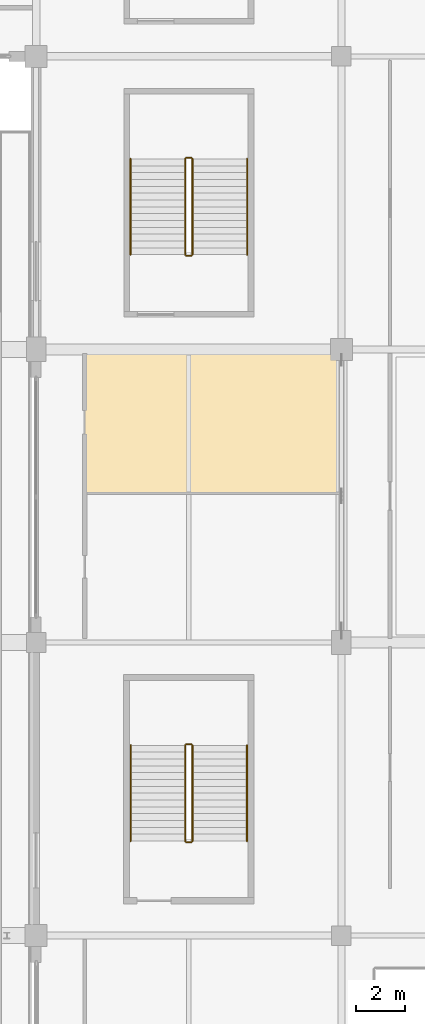
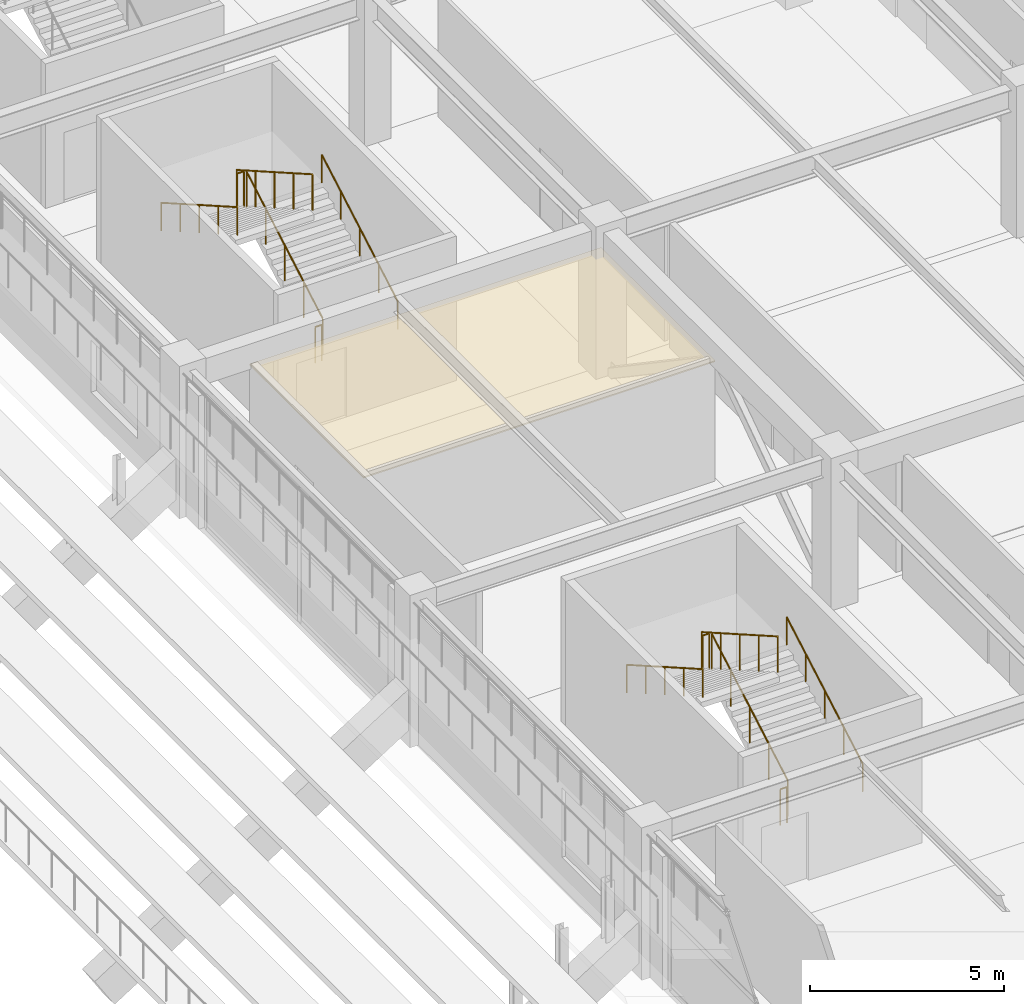
# One storey, part 121 of 134: 12 railings, 1 covering.
"""IFC4 building model written with IfcOpenShell, lengths in metres."""

from ifc_helpers import new_model, si_unit, direction, frame, origin, origin_2d, place, context, subcontext, project, spatial, polyline, circle, outline, extrude, material, layer, layer_set, type_object, element, save


model = new_model("IFC4")

# Units and contexts
model_context = context("Model", 3, precision=1e-05, world=origin(), true_north=direction((0.0, 1.0)))
body_context = subcontext(model_context, "Body", "Model", "MODEL_VIEW")
ifc_project = project(units=[si_unit("LENGTHUNIT", "METRE"), si_unit("AREAUNIT", "SQUARE_METRE"), si_unit("VOLUMEUNIT", "CUBIC_METRE"), si_unit("PLANEANGLEUNIT", "RADIAN"), si_unit("MASSUNIT", "GRAM", prefix="KILO")], contexts=[model_context])

# Site, building, storey
site_placement = place(None, origin())
site = spatial("IfcSite", under=ifc_project, at=site_placement, CompositionType="ELEMENT")
building_placement = place(site_placement, origin())
building = spatial("IfcBuilding", under=site, at=building_placement, Name="Kazenohara Klinker Stadium", CompositionType="ELEMENT")
storey_placement = place(building_placement, frame((0.0, 0.0, 5.39990234375)))
storey = spatial("IfcBuildingStorey", under=building, at=storey_placement, Name="L01", CompositionType="ELEMENT", Elevation=5.39990234375)

# Covering
ifc_material_1 = material(Name="Slatted Hokkaido cedar acoustic baffle ceiling", Category="wood")
ifc_layer_1 = layer(ifc_material_1, 0.0400390625)
ifc_layer_set_1 = layer_set([ifc_layer_1], Name="Slatted Hokkaido cedar acoustic baffle ceiling")
covering_type = type_object("IfcCoveringType", Name="COV-CEIL-02", PredefinedType="CEILING", material=ifc_layer_set_1)
covering_placement = place(storey_placement, frame((0.0, 0.0, 3.739990234375)))
element("IfcCovering", 1, at=covering_placement, inside=storey, type_object=covering_type, Name="Suspended acoustic ceiling CL02 Community Martial Arts Fitness Studio L01-1409B", PredefinedType="CEILING", context=body_context, shape_type="SweptSolid", body=[
    extrude(outline(polyline([(176.9599609375, 114.076904296875), (187.43994140625, 114.076904296875), (187.43994140625, 119.9599609375), (176.9599609375, 119.9599609375), (176.9599609375, 114.076904296875)])), origin(), (0.0, 0.0, 1.0), 0.0400390625),
])

# Railings
ifc_material_2 = material(Name="Brushed stainless steel 304 handrail", Category="steel")
ifc_layer_2 = layer(ifc_material_2, 0.050048828125)
ifc_layer_set_2 = layer_set([ifc_layer_2], Name="Brushed stainless steel 304 handrail")
railing_type_1 = type_object("IfcRailingType", Name="RL-HND-900", PredefinedType="HANDRAIL", material=ifc_layer_set_2)
railing_1_placement = place(storey_placement, frame((183.6298828125, 99.8701171875, 0.16015625)))
element("IfcRailing", 2, at=railing_1_placement, inside=storey, type_object=railing_type_1, Name="L01 ST23 stair handrail 1", PredefinedType="HANDRAIL", context=body_context, shape_type="SweptSolid", body=[
    extrude(circle(Radius=0.02392578125, at=origin_2d()), frame((0.0, 0.0, 0.8759765625), z_axis=(0.0, 0.868239814368, 0.496144761885), x_axis=(-1.0, 0.0, 0.0)), (0.0, 0.0, 1.0), 4.514892578125),
    extrude(circle(Radius=0.02099609375, at=origin_2d()), origin(), (0.0, 0.0, 1.0), 0.851806640625),
    extrude(circle(Radius=0.02099609375, at=origin_2d()), frame((0.0, 0.97998046875, 0.56005859375)), (0.0, 0.0, 1.0), 0.851806640625),
    extrude(circle(Radius=0.02099609375, at=origin_2d()), frame((0.0, 1.9599609375, 1.1201171875)), (0.0, 0.0, 1.0), 0.851806640625),
    extrude(circle(Radius=0.02099609375, at=origin_2d()), frame((0.0, 2.93994140625, 1.679931640625)), (0.0, 0.0, 1.0), 0.851806640625),
    extrude(circle(Radius=0.02099609375, at=origin_2d()), frame((0.0, 3.919921875, 2.239990234375)), (0.0, 0.0, 1.0), 0.851806640625),
])
railing_2_placement = place(storey_placement, frame((178.8701171875, 103.7900390625, 2.56005859375)))
element("IfcRailing", 3, at=railing_2_placement, inside=storey, type_object=railing_type_1, Name="L01 ST23 stair handrail 2", PredefinedType="HANDRAIL", context=body_context, shape_type="SweptSolid", body=[
    extrude(circle(Radius=0.02392578125, at=origin_2d()), frame((0.0, 0.0, 0.8759765625), z_axis=(0.0, -0.868239814368, 0.496144761885), x_axis=(1.0, 0.0, 0.0)), (0.0, 0.0, 1.0), 4.514892578125),
    extrude(circle(Radius=0.02099609375, at=origin_2d()), origin(), (0.0, 0.0, 1.0), 0.851806640625),
    extrude(circle(Radius=0.02099609375, at=origin_2d()), frame((0.0, -0.97998046875, 0.56005859375)), (0.0, 0.0, 1.0), 0.851806640625),
    extrude(circle(Radius=0.02099609375, at=origin_2d()), frame((0.0, -1.9599609375, 1.1201171875)), (0.0, 0.0, 1.0), 0.851806640625),
    extrude(circle(Radius=0.02099609375, at=origin_2d()), frame((0.0, -2.93994140625, 1.679931640625)), (0.0, 0.0, 1.0), 0.851806640625),
    extrude(circle(Radius=0.02099609375, at=origin_2d()), frame((0.0, -3.919921875, 2.239990234375)), (0.0, 0.0, 1.0), 0.851806640625),
])
railing_3_placement = place(storey_placement, frame((183.639892578125, 123.8798828125, 0.16015625)))
element("IfcRailing", 4, at=railing_3_placement, inside=storey, type_object=railing_type_1, Name="L01 ST24 stair handrail 1", PredefinedType="HANDRAIL", context=body_context, shape_type="SweptSolid", body=[
    extrude(circle(Radius=0.02392578125, at=origin_2d()), frame((0.0, 0.0, 0.8759765625), z_axis=(0.0, 0.86825312469, 0.496121468458), x_axis=(-1.0, 0.0, 0.0)), (0.0, 0.0, 1.0), 4.514892578125),
    extrude(circle(Radius=0.02099609375, at=origin_2d()), origin(), (0.0, 0.0, 1.0), 0.851806640625),
    extrude(circle(Radius=0.02099609375, at=origin_2d()), frame((0.0, 0.97998046875, 0.56005859375)), (0.0, 0.0, 1.0), 0.851806640625),
    extrude(circle(Radius=0.02099609375, at=origin_2d()), frame((0.0, 1.9599609375, 1.1201171875)), (0.0, 0.0, 1.0), 0.851806640625),
    extrude(circle(Radius=0.02099609375, at=origin_2d()), frame((0.0, 2.940185546875, 1.679931640625)), (0.0, 0.0, 1.0), 0.851806640625),
    extrude(circle(Radius=0.02099609375, at=origin_2d()), frame((0.0, 3.920166015625, 2.239990234375)), (0.0, 0.0, 1.0), 0.851806640625),
])
railing_4_placement = place(storey_placement, frame((178.860107421875, 127.800048828125, 2.56005859375)))
element("IfcRailing", 5, at=railing_4_placement, inside=storey, type_object=railing_type_1, Name="L01 ST24 stair handrail 2", PredefinedType="HANDRAIL", context=body_context, shape_type="SweptSolid", body=[
    extrude(circle(Radius=0.02392578125, at=origin_2d()), frame((0.0, 0.0, 0.8759765625), z_axis=(0.0, -0.86825312469, 0.496121468458), x_axis=(1.0, 0.0, 0.0)), (0.0, 0.0, 1.0), 4.514892578125),
    extrude(circle(Radius=0.02099609375, at=origin_2d()), origin(), (0.0, 0.0, 1.0), 0.851806640625),
    extrude(circle(Radius=0.02099609375, at=origin_2d()), frame((0.0, -0.97998046875, 0.56005859375)), (0.0, 0.0, 1.0), 0.851806640625),
    extrude(circle(Radius=0.02099609375, at=origin_2d()), frame((0.0, -1.9599609375, 1.1201171875)), (0.0, 0.0, 1.0), 0.851806640625),
    extrude(circle(Radius=0.02099609375, at=origin_2d()), frame((0.0, -2.940185546875, 1.679931640625)), (0.0, 0.0, 1.0), 0.851806640625),
    extrude(circle(Radius=0.02099609375, at=origin_2d()), frame((0.0, -3.920166015625, 2.239990234375)), (0.0, 0.0, 1.0), 0.851806640625),
])
ifc_material_3 = material(Name="Painted steel stairwell guardrail", Category="steel")
ifc_layer_3 = layer(ifc_material_3, 0.06005859375)
ifc_layer_set_3 = layer_set([ifc_layer_3], Name="Painted steel stairwell guardrail")
railing_type_2 = type_object("IfcRailingType", Name="RL-STG-1120", PredefinedType="GUARDRAIL", material=ifc_layer_set_3)
railing_5_placement = place(storey_placement, frame((181.39990234375, 99.8701171875, 0.16015625)))
element("IfcRailing", 6, at=railing_5_placement, inside=storey, type_object=railing_type_2, Name="L01 ST23 stair guard 1", PredefinedType="GUARDRAIL", context=body_context, shape_type="SweptSolid", body=[
    extrude(circle(Radius=0.02392578125, at=origin_2d()), frame((0.0, 0.0, 1.1259765625), z_axis=(0.0, 0.868239814368, 0.496144761885), x_axis=(-1.0, 0.0, 0.0)), (0.0, 0.0, 1.0), 4.514892578125),
    extrude(circle(Radius=0.02099609375, at=origin_2d()), origin(), (0.0, 0.0, 1.0), 1.101806640625),
    extrude(circle(Radius=0.02099609375, at=origin_2d()), frame((0.0, 0.97998046875, 0.56005859375)), (0.0, 0.0, 1.0), 1.101806640625),
    extrude(circle(Radius=0.02099609375, at=origin_2d()), frame((0.0, 1.9599609375, 1.1201171875)), (0.0, 0.0, 1.0), 1.101806640625),
    extrude(circle(Radius=0.02099609375, at=origin_2d()), frame((0.0, 2.93994140625, 1.679931640625)), (0.0, 0.0, 1.0), 1.101806640625),
    extrude(circle(Radius=0.02099609375, at=origin_2d()), frame((0.0, 3.919921875, 2.239990234375)), (0.0, 0.0, 1.0), 1.101806640625),
])
railing_6_placement = place(storey_placement, frame((181.35009765625, 103.840087890625, 2.400146484375)))
element("IfcRailing", 7, at=railing_6_placement, inside=storey, type_object=railing_type_2, Name="L01 ST23 stair guard 2", PredefinedType="GUARDRAIL", context=body_context, shape_type="SweptSolid", body=[
    extrude(circle(Radius=0.02392578125, at=origin_2d()), frame((0.0, 0.0, 1.1259765625), z_axis=(-1.0, 0.0, 0.0), x_axis=(0.0, -1.0, 0.0)), (0.0, 0.0, 1.0), 0.2001953125),
    extrude(circle(Radius=0.02099609375, at=origin_2d()), origin(), (0.0, 0.0, 1.0), 1.101806640625),
    extrude(circle(Radius=0.02099609375, at=origin_2d()), frame((-0.2001953125, 0.0, 0.0)), (0.0, 0.0, 1.0), 1.101806640625),
])
railing_7_placement = place(storey_placement, frame((181.10009765625, 103.7900390625, 2.56005859375)))
element("IfcRailing", 8, at=railing_7_placement, inside=storey, type_object=railing_type_2, Name="L01 ST23 stair guard 3", PredefinedType="GUARDRAIL", context=body_context, shape_type="SweptSolid", body=[
    extrude(circle(Radius=0.02392578125, at=origin_2d()), frame((0.0, 0.0, 1.1259765625), z_axis=(0.0, -0.868239814368, 0.496144761885), x_axis=(1.0, 0.0, 0.0)), (0.0, 0.0, 1.0), 4.514892578125),
    extrude(circle(Radius=0.02099609375, at=origin_2d()), origin(), (0.0, 0.0, 1.0), 1.101806640625),
    extrude(circle(Radius=0.02099609375, at=origin_2d()), frame((0.0, -0.97998046875, 0.56005859375)), (0.0, 0.0, 1.0), 1.101806640625),
    extrude(circle(Radius=0.02099609375, at=origin_2d()), frame((0.0, -1.9599609375, 1.1201171875)), (0.0, 0.0, 1.0), 1.101806640625),
    extrude(circle(Radius=0.02099609375, at=origin_2d()), frame((0.0, -2.93994140625, 1.679931640625)), (0.0, 0.0, 1.0), 1.101806640625),
    extrude(circle(Radius=0.02099609375, at=origin_2d()), frame((0.0, -3.919921875, 2.239990234375)), (0.0, 0.0, 1.0), 1.101806640625),
])
railing_8_placement = place(storey_placement, frame((181.35009765625, 99.820068359375, 0.0)))
element("IfcRailing", 9, at=railing_8_placement, inside=storey, type_object=railing_type_2, Name="L01 ST23 stair guard 4", PredefinedType="GUARDRAIL", context=body_context, shape_type="SweptSolid", body=[
    extrude(circle(Radius=0.02392578125, at=origin_2d()), frame((0.0, 0.0, 1.1259765625), z_axis=(-1.0, 0.0, 0.0), x_axis=(0.0, -1.0, 0.0)), (0.0, 0.0, 1.0), 0.2001953125),
    extrude(circle(Radius=0.02099609375, at=origin_2d()), origin(), (0.0, 0.0, 1.0), 1.101806640625),
    extrude(circle(Radius=0.02099609375, at=origin_2d()), frame((-0.2001953125, 0.0, 0.0)), (0.0, 0.0, 1.0), 1.101806640625),
])
railing_9_placement = place(storey_placement, frame((181.39990234375, 123.8798828125, 0.16015625)))
element("IfcRailing", 10, at=railing_9_placement, inside=storey, type_object=railing_type_2, Name="L01 ST24 stair guard 1", PredefinedType="GUARDRAIL", context=body_context, shape_type="SweptSolid", body=[
    extrude(circle(Radius=0.02392578125, at=origin_2d()), frame((0.0, 0.0, 1.1259765625), z_axis=(0.0, 0.86825312469, 0.496121468458), x_axis=(-1.0, 0.0, 0.0)), (0.0, 0.0, 1.0), 4.514892578125),
    extrude(circle(Radius=0.02099609375, at=origin_2d()), origin(), (0.0, 0.0, 1.0), 1.101806640625),
    extrude(circle(Radius=0.02099609375, at=origin_2d()), frame((0.0, 0.97998046875, 0.56005859375)), (0.0, 0.0, 1.0), 1.101806640625),
    extrude(circle(Radius=0.02099609375, at=origin_2d()), frame((0.0, 1.9599609375, 1.1201171875)), (0.0, 0.0, 1.0), 1.101806640625),
    extrude(circle(Radius=0.02099609375, at=origin_2d()), frame((0.0, 2.940185546875, 1.679931640625)), (0.0, 0.0, 1.0), 1.101806640625),
    extrude(circle(Radius=0.02099609375, at=origin_2d()), frame((0.0, 3.920166015625, 2.239990234375)), (0.0, 0.0, 1.0), 1.101806640625),
])
railing_10_placement = place(storey_placement, frame((181.35009765625, 127.85009765625, 2.400146484375)))
element("IfcRailing", 11, at=railing_10_placement, inside=storey, type_object=railing_type_2, Name="L01 ST24 stair guard 2", PredefinedType="GUARDRAIL", context=body_context, shape_type="SweptSolid", body=[
    extrude(circle(Radius=0.02392578125, at=origin_2d()), frame((0.0, 0.0, 1.1259765625), z_axis=(-1.0, 0.0, 0.0), x_axis=(0.0, -1.0, 0.0)), (0.0, 0.0, 1.0), 0.2001953125),
    extrude(circle(Radius=0.02099609375, at=origin_2d()), origin(), (0.0, 0.0, 1.0), 1.101806640625),
    extrude(circle(Radius=0.02099609375, at=origin_2d()), frame((-0.2001953125, 0.0, 0.0)), (0.0, 0.0, 1.0), 1.101806640625),
])
railing_11_placement = place(storey_placement, frame((181.10009765625, 127.800048828125, 2.56005859375)))
element("IfcRailing", 12, at=railing_11_placement, inside=storey, type_object=railing_type_2, Name="L01 ST24 stair guard 3", PredefinedType="GUARDRAIL", context=body_context, shape_type="SweptSolid", body=[
    extrude(circle(Radius=0.02392578125, at=origin_2d()), frame((0.0, 0.0, 1.1259765625), z_axis=(0.0, -0.86825312469, 0.496121468458), x_axis=(1.0, 0.0, 0.0)), (0.0, 0.0, 1.0), 4.514892578125),
    extrude(circle(Radius=0.02099609375, at=origin_2d()), origin(), (0.0, 0.0, 1.0), 1.101806640625),
    extrude(circle(Radius=0.02099609375, at=origin_2d()), frame((0.0, -0.97998046875, 0.56005859375)), (0.0, 0.0, 1.0), 1.101806640625),
    extrude(circle(Radius=0.02099609375, at=origin_2d()), frame((0.0, -1.9599609375, 1.1201171875)), (0.0, 0.0, 1.0), 1.101806640625),
    extrude(circle(Radius=0.02099609375, at=origin_2d()), frame((0.0, -2.940185546875, 1.679931640625)), (0.0, 0.0, 1.0), 1.101806640625),
    extrude(circle(Radius=0.02099609375, at=origin_2d()), frame((0.0, -3.920166015625, 2.239990234375)), (0.0, 0.0, 1.0), 1.101806640625),
])
railing_12_placement = place(storey_placement, frame((181.35009765625, 123.830078125, 0.0)))
element("IfcRailing", 13, at=railing_12_placement, inside=storey, type_object=railing_type_2, Name="L01 ST24 stair guard 4", PredefinedType="GUARDRAIL", context=body_context, shape_type="SweptSolid", body=[
    extrude(circle(Radius=0.02392578125, at=origin_2d()), frame((0.0, 0.0, 1.1259765625), z_axis=(-1.0, 0.0, 0.0), x_axis=(0.0, -1.0, 0.0)), (0.0, 0.0, 1.0), 0.2001953125),
    extrude(circle(Radius=0.02099609375, at=origin_2d()), origin(), (0.0, 0.0, 1.0), 1.101806640625),
    extrude(circle(Radius=0.02099609375, at=origin_2d()), frame((-0.2001953125, 0.0, 0.0)), (0.0, 0.0, 1.0), 1.101806640625),
])

save(model, "model.ifc")
